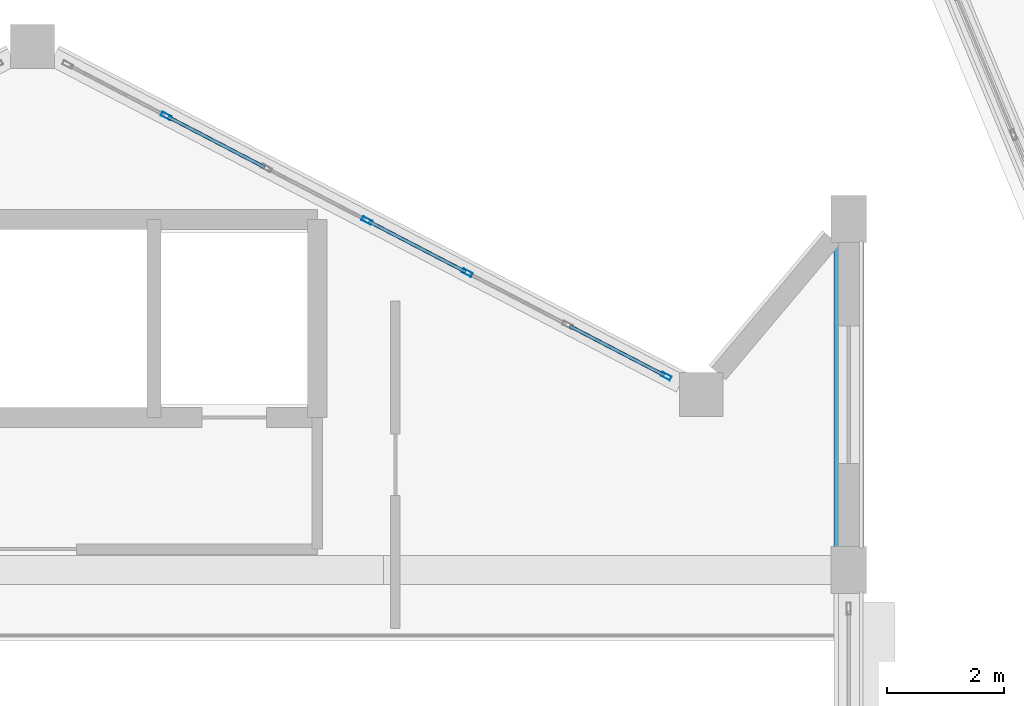
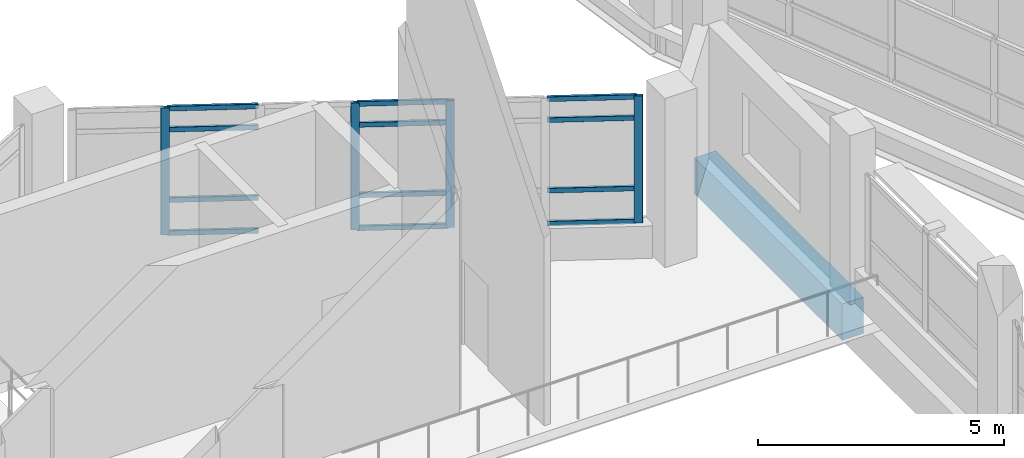
# One storey, part 27 of 128: 16 members, 1 beam, 1 element without a shape of its own.
"""IFC4 building model written with IfcOpenShell, lengths in metres."""

from ifc_helpers import new_model, si_unit, direction, frame, origin, origin_2d, place, context, subcontext, project, spatial, rectangle, hollow_rectangle, extrude, material, layer, layer_set, material_profile, profile_set, type_object, element, aggregate, save


model = new_model("IFC4")

# Units and contexts
model_context = context("Model", 3, precision=1e-05, world=origin(), true_north=direction((0.0, 1.0)))
body_context = subcontext(model_context, "Body", "Model", "MODEL_VIEW")
ifc_project = project(units=[si_unit("LENGTHUNIT", "METRE"), si_unit("AREAUNIT", "SQUARE_METRE"), si_unit("VOLUMEUNIT", "CUBIC_METRE"), si_unit("PLANEANGLEUNIT", "RADIAN"), si_unit("MASSUNIT", "GRAM", prefix="KILO")], contexts=[model_context])

# Site, building, storey
site_placement = place(None, origin())
site = spatial("IfcSite", under=ifc_project, at=site_placement, CompositionType="ELEMENT")
building_placement = place(site_placement, origin())
building = spatial("IfcBuilding", under=site, at=building_placement, Name="Vespera Passage Community Centre", CompositionType="ELEMENT")
storey_placement = place(building_placement, frame((0.0, 0.0, 4.5)))
storey = spatial("IfcBuildingStorey", under=building, at=storey_placement, Name="L01", CompositionType="ELEMENT", Elevation=4.5)

# Beam
ifc_material_1 = material(Name="Concrete f'c 45 MPa", Category="concrete")
ifc_material_profile_1 = material_profile(ifc_material_1, rectangle(XDim=0.5, YDim=0.89990234375, at=origin_2d()), Name="RC500X900")
ifc_profile_set_1 = profile_set([ifc_material_profile_1], Name="Concrete f'c 45 MPa")
beam_type = type_object("IfcBeamType", Name="BM-SP-500X900E", PredefinedType="SPANDREL", material=ifc_profile_set_1)
beam_placement = place(storey_placement, frame((31.949951171875, 43.0, -0.68994140625), z_axis=(0.0, 1.0, 0.0), x_axis=(-1.0, 0.0, 0.0)))
element("IfcBeam", 1, at=beam_placement, inside=storey, type_object=beam_type, Name="V1 L01 Spandrel E7", PredefinedType="SPANDREL", context=body_context, shape_type="SweptSolid", body=[
    extrude(rectangle(XDim=0.5, YDim=0.89990234375, at=origin_2d()), origin(), (0.0, 0.0, 1.0), 6.0),
])

# Curtain wall, members
ifc_material_2 = material(Name="Anodized aluminium 6063-T6", Category="aluminium")
ifc_layer = layer(ifc_material_2, 0.159912109375)
ifc_layer_set = layer_set([ifc_layer], Name="Anodized aluminium 6063-T6")
curtain_wall_type = type_object("IfcCurtainWallType", Name="CW-85E", PredefinedType="NOTDEFINED", material=ifc_layer_set)
curtain_wall_placement = place(storey_placement, origin())
curtain_wall = element("IfcCurtainWall", 2, at=curtain_wall_placement, inside=storey, type_object=curtain_wall_type, Name="V1 L01 N Apse Ribbon Curtain Wall 3", PredefinedType="NOTDEFINED")
ifc_material_3 = material(Name="Anodized aluminium 6063-T6", Category="aluminium")
ifc_material_profile_2 = material_profile(ifc_material_3, hollow_rectangle(XDim=0.074951171875, YDim=0.179931640625, WallThickness=0.0048828125, InnerFilletRadius=0.00244140625, OuterFilletRadius=0.0048828125, at=origin_2d()), Name="ALU180X75X5")
ifc_profile_set_2 = profile_set([ifc_material_profile_2], Name="Anodized aluminium 6063-T6")
member_type_1 = type_object("IfcMemberType", Name="MB-CWM-180E", PredefinedType="MULLION", material=ifc_profile_set_2)
member_1_placement = place(storey_placement, frame((20.28173828125, 50.76220703125, 0.800048828125), z_axis=(0.0, 0.0, 1.0), x_axis=(0.46174493668, 0.887012747062, 0.0)))
member_1 = element("IfcMember", 3, at=member_1_placement, type_object=member_type_1, Name="CW-85E mullion 2", PredefinedType="MULLION", context=body_context, shape_type="SweptSolid", body=[
    extrude(hollow_rectangle(XDim=0.074951171875, YDim=0.179931640625, WallThickness=0.0048828125, InnerFilletRadius=0.00244140625, OuterFilletRadius=0.0048828125, at=origin_2d()), origin(), (0.0, 0.0, 1.0), 3.14990234375),
])
member_2_placement = place(storey_placement, frame((23.713623046875, 48.9755859375, 0.800048828125), z_axis=(0.0, 0.0, 1.0), x_axis=(0.46174493668, 0.887012747062, 0.0)))
member_2 = element("IfcMember", 4, at=member_2_placement, type_object=member_type_1, Name="CW-85E mullion 4", PredefinedType="MULLION", context=body_context, shape_type="SweptSolid", body=[
    extrude(hollow_rectangle(XDim=0.074951171875, YDim=0.179931640625, WallThickness=0.0048828125, InnerFilletRadius=0.00244140625, OuterFilletRadius=0.0048828125, at=origin_2d()), origin(), (0.0, 0.0, 1.0), 3.14990234375),
])
member_3_placement = place(storey_placement, frame((25.4296875, 48.08251953125, 0.800048828125), z_axis=(0.0, 0.0, 1.0), x_axis=(0.46174493668, 0.887012747062, 0.0)))
member_3 = element("IfcMember", 5, at=member_3_placement, type_object=member_type_1, Name="CW-85E mullion 5", PredefinedType="MULLION", context=body_context, shape_type="SweptSolid", body=[
    extrude(hollow_rectangle(XDim=0.074951171875, YDim=0.179931640625, WallThickness=0.0048828125, InnerFilletRadius=0.00244140625, OuterFilletRadius=0.0048828125, at=origin_2d()), origin(), (0.0, 0.0, 1.0), 3.14990234375),
])
member_4_placement = place(storey_placement, frame((28.828125, 46.313232421875, 0.800048828125), z_axis=(0.0, 0.0, 1.0), x_axis=(0.46174493668, 0.887012747062, 0.0)))
member_4 = element("IfcMember", 6, at=member_4_placement, type_object=member_type_1, Name="CW-85E mullion 7", PredefinedType="MULLION", context=body_context, shape_type="SweptSolid", body=[
    extrude(hollow_rectangle(XDim=0.074951171875, YDim=0.179931640625, WallThickness=0.0048828125, InnerFilletRadius=0.00244140625, OuterFilletRadius=0.0048828125, at=origin_2d()), origin(), (0.0, 0.0, 1.0), 3.14990234375),
])
ifc_material_4 = material(Name="Anodized aluminium 6063-T6", Category="aluminium")
ifc_material_profile_3 = material_profile(ifc_material_4, hollow_rectangle(XDim=0.06005859375, YDim=0.1201171875, WallThickness=0.00390625, InnerFilletRadius=0.001953125, OuterFilletRadius=0.00390625, at=origin_2d()), Name="ALU120X60X4")
ifc_profile_set_3 = profile_set([ifc_material_profile_3], Name="Anodized aluminium 6063-T6")
member_type_2 = type_object("IfcMemberType", Name="MB-CWT-120E", PredefinedType="USERDEFINED", material=ifc_profile_set_3)
member_5_placement = place(storey_placement, frame((20.31494140625, 50.744873046875, 0.830078125), z_axis=(0.887008197889, -0.461753675544, 0.0), x_axis=(0.461753675544, 0.887008197889, 0.0)))
member_5 = element("IfcMember", 7, at=member_5_placement, type_object=member_type_2, Name="CW-85E transom 2.1", ObjectType="TRANSOM", PredefinedType="USERDEFINED", context=body_context, shape_type="SweptSolid", body=[
    extrude(hollow_rectangle(XDim=0.06005859375, YDim=0.1201171875, WallThickness=0.00390625, InnerFilletRadius=0.001953125, OuterFilletRadius=0.00390625, at=origin_2d()), origin(), (0.0, 0.0, 1.0), 1.859619140625),
])
member_6_placement = place(storey_placement, frame((20.31494140625, 50.744873046875, 1.64990234375), z_axis=(0.887008197889, -0.461753675544, 0.0), x_axis=(0.461753675544, 0.887008197889, 0.0)))
member_6 = element("IfcMember", 8, at=member_6_placement, type_object=member_type_2, Name="CW-85E transom 2.2", ObjectType="TRANSOM", PredefinedType="USERDEFINED", context=body_context, shape_type="SweptSolid", body=[
    extrude(hollow_rectangle(XDim=0.06005859375, YDim=0.1201171875, WallThickness=0.00390625, InnerFilletRadius=0.001953125, OuterFilletRadius=0.00390625, at=origin_2d()), origin(), (0.0, 0.0, 1.0), 1.859619140625),
])
member_7_placement = place(storey_placement, frame((20.31494140625, 50.744873046875, 3.39990234375), z_axis=(0.887008197889, -0.461753675544, 0.0), x_axis=(0.461753675544, 0.887008197889, 0.0)))
member_7 = element("IfcMember", 9, at=member_7_placement, type_object=member_type_2, Name="CW-85E transom 2.3", ObjectType="TRANSOM", PredefinedType="USERDEFINED", context=body_context, shape_type="SweptSolid", body=[
    extrude(hollow_rectangle(XDim=0.06005859375, YDim=0.1201171875, WallThickness=0.00390625, InnerFilletRadius=0.001953125, OuterFilletRadius=0.00390625, at=origin_2d()), origin(), (0.0, 0.0, 1.0), 1.859619140625),
])
member_8_placement = place(storey_placement, frame((20.31494140625, 50.744873046875, 3.919921875), z_axis=(0.887008197889, -0.461753675544, 0.0), x_axis=(0.461753675544, 0.887008197889, 0.0)))
member_8 = element("IfcMember", 10, at=member_8_placement, type_object=member_type_2, Name="CW-85E transom 2.4", ObjectType="TRANSOM", PredefinedType="USERDEFINED", context=body_context, shape_type="SweptSolid", body=[
    extrude(hollow_rectangle(XDim=0.06005859375, YDim=0.1201171875, WallThickness=0.00390625, InnerFilletRadius=0.001953125, OuterFilletRadius=0.00390625, at=origin_2d()), origin(), (0.0, 0.0, 1.0), 1.859619140625),
])
member_9_placement = place(storey_placement, frame((23.746826171875, 48.95849609375, 0.830078125), z_axis=(0.887008197889, -0.461753675544, 0.0), x_axis=(0.461753675544, 0.887008197889, 0.0)))
member_9 = element("IfcMember", 11, at=member_9_placement, type_object=member_type_2, Name="CW-85E transom 4.1", ObjectType="TRANSOM", PredefinedType="USERDEFINED", context=body_context, shape_type="SweptSolid", body=[
    extrude(hollow_rectangle(XDim=0.06005859375, YDim=0.1201171875, WallThickness=0.00390625, InnerFilletRadius=0.001953125, OuterFilletRadius=0.00390625, at=origin_2d()), origin(), (0.0, 0.0, 1.0), 1.859619140625),
])
member_10_placement = place(storey_placement, frame((23.746826171875, 48.95849609375, 1.64990234375), z_axis=(0.887008197889, -0.461753675544, 0.0), x_axis=(0.461753675544, 0.887008197889, 0.0)))
member_10 = element("IfcMember", 12, at=member_10_placement, type_object=member_type_2, Name="CW-85E transom 4.2", ObjectType="TRANSOM", PredefinedType="USERDEFINED", context=body_context, shape_type="SweptSolid", body=[
    extrude(hollow_rectangle(XDim=0.06005859375, YDim=0.1201171875, WallThickness=0.00390625, InnerFilletRadius=0.001953125, OuterFilletRadius=0.00390625, at=origin_2d()), origin(), (0.0, 0.0, 1.0), 1.859619140625),
])
member_11_placement = place(storey_placement, frame((23.746826171875, 48.95849609375, 3.39990234375), z_axis=(0.887008197889, -0.461753675544, 0.0), x_axis=(0.461753675544, 0.887008197889, 0.0)))
member_11 = element("IfcMember", 13, at=member_11_placement, type_object=member_type_2, Name="CW-85E transom 4.3", ObjectType="TRANSOM", PredefinedType="USERDEFINED", context=body_context, shape_type="SweptSolid", body=[
    extrude(hollow_rectangle(XDim=0.06005859375, YDim=0.1201171875, WallThickness=0.00390625, InnerFilletRadius=0.001953125, OuterFilletRadius=0.00390625, at=origin_2d()), origin(), (0.0, 0.0, 1.0), 1.859619140625),
])
member_12_placement = place(storey_placement, frame((23.746826171875, 48.95849609375, 3.919921875), z_axis=(0.887008197889, -0.461753675544, 0.0), x_axis=(0.461753675544, 0.887008197889, 0.0)))
member_12 = element("IfcMember", 14, at=member_12_placement, type_object=member_type_2, Name="CW-85E transom 4.4", ObjectType="TRANSOM", PredefinedType="USERDEFINED", context=body_context, shape_type="SweptSolid", body=[
    extrude(hollow_rectangle(XDim=0.06005859375, YDim=0.1201171875, WallThickness=0.00390625, InnerFilletRadius=0.001953125, OuterFilletRadius=0.00390625, at=origin_2d()), origin(), (0.0, 0.0, 1.0), 1.859619140625),
])
member_13_placement = place(storey_placement, frame((27.1787109375, 47.171875, 0.830078125), z_axis=(0.887019277583, -0.461732391322, 0.0), x_axis=(0.461732391322, 0.887019277583, 0.0)))
member_13 = element("IfcMember", 15, at=member_13_placement, type_object=member_type_2, Name="CW-85E transom 6.1", ObjectType="TRANSOM", PredefinedType="USERDEFINED", context=body_context, shape_type="SweptSolid", body=[
    extrude(hollow_rectangle(XDim=0.06005859375, YDim=0.1201171875, WallThickness=0.00390625, InnerFilletRadius=0.001953125, OuterFilletRadius=0.00390625, at=origin_2d()), origin(), (0.0, 0.0, 1.0), 1.822021484375),
])
member_14_placement = place(storey_placement, frame((27.1787109375, 47.171875, 1.64990234375), z_axis=(0.887019277583, -0.461732391322, 0.0), x_axis=(0.461732391322, 0.887019277583, 0.0)))
member_14 = element("IfcMember", 16, at=member_14_placement, type_object=member_type_2, Name="CW-85E transom 6.2", ObjectType="TRANSOM", PredefinedType="USERDEFINED", context=body_context, shape_type="SweptSolid", body=[
    extrude(hollow_rectangle(XDim=0.06005859375, YDim=0.1201171875, WallThickness=0.00390625, InnerFilletRadius=0.001953125, OuterFilletRadius=0.00390625, at=origin_2d()), origin(), (0.0, 0.0, 1.0), 1.822021484375),
])
member_15_placement = place(storey_placement, frame((27.1787109375, 47.171875, 3.39990234375), z_axis=(0.887019277583, -0.461732391322, 0.0), x_axis=(0.461732391322, 0.887019277583, 0.0)))
member_15 = element("IfcMember", 17, at=member_15_placement, type_object=member_type_2, Name="CW-85E transom 6.3", ObjectType="TRANSOM", PredefinedType="USERDEFINED", context=body_context, shape_type="SweptSolid", body=[
    extrude(hollow_rectangle(XDim=0.06005859375, YDim=0.1201171875, WallThickness=0.00390625, InnerFilletRadius=0.001953125, OuterFilletRadius=0.00390625, at=origin_2d()), origin(), (0.0, 0.0, 1.0), 1.822021484375),
])
member_16_placement = place(storey_placement, frame((27.1787109375, 47.171875, 3.919921875), z_axis=(0.887019277583, -0.461732391322, 0.0), x_axis=(0.461732391322, 0.887019277583, 0.0)))
member_16 = element("IfcMember", 18, at=member_16_placement, type_object=member_type_2, Name="CW-85E transom 6.4", ObjectType="TRANSOM", PredefinedType="USERDEFINED", context=body_context, shape_type="SweptSolid", body=[
    extrude(hollow_rectangle(XDim=0.06005859375, YDim=0.1201171875, WallThickness=0.00390625, InnerFilletRadius=0.001953125, OuterFilletRadius=0.00390625, at=origin_2d()), origin(), (0.0, 0.0, 1.0), 1.822021484375),
])
aggregate(curtain_wall, [member_1, member_2, member_3, member_4, member_5, member_6, member_7, member_8, member_9, member_10, member_11, member_12, member_13, member_14, member_15, member_16])

save(model, "model.ifc")
